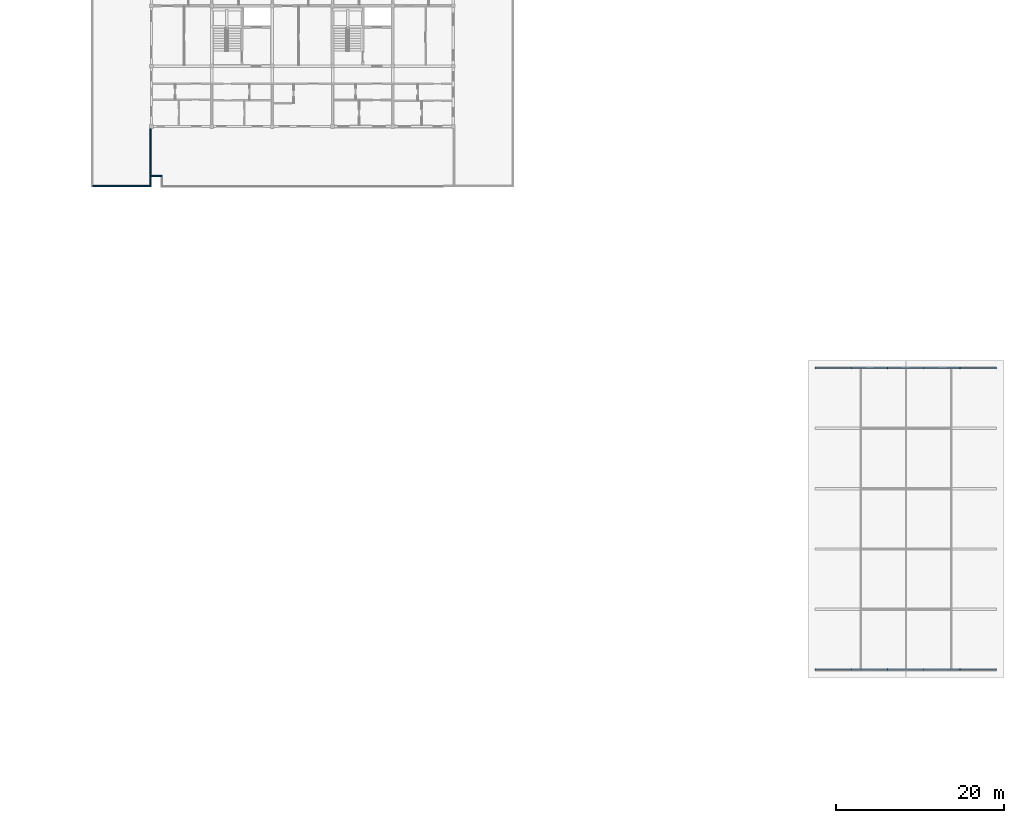
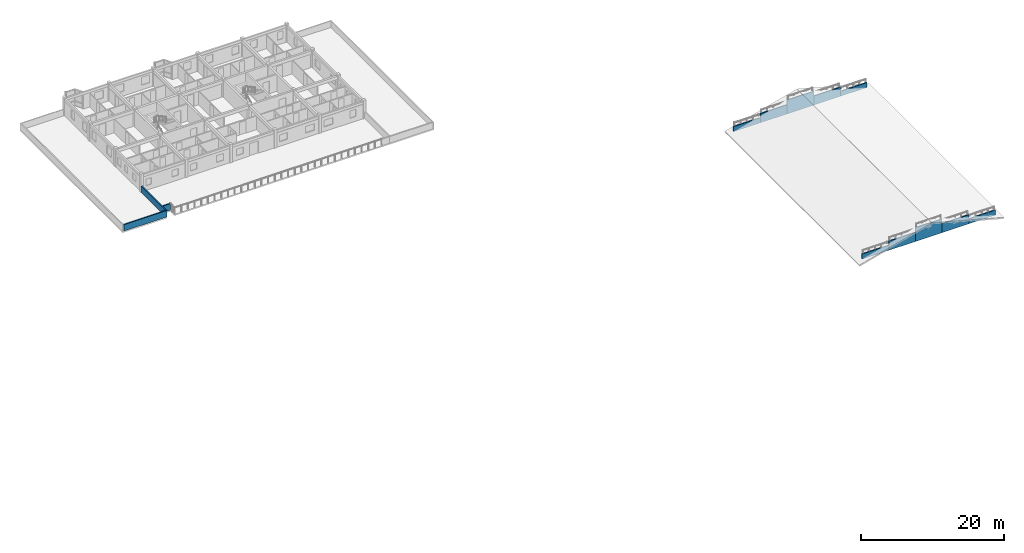
# One storey, part 31 of 40: 13 walls.
"""IFC4 building model written with IfcOpenShell, lengths in metres."""

from ifc_helpers import new_model, si_unit, direction, frame, frame_2d, origin, place, context, subcontext, project, spatial, rectangle, extrude, material, layer, layer_set, type_object, element, save


model = new_model("IFC4")

# Units and contexts
model_context = context("Model", 3, precision=1e-05, world=origin(), true_north=direction((0.0, 1.0)))
body_context = subcontext(model_context, "Body", "Model", "MODEL_VIEW")
ifc_project = project(units=[si_unit("LENGTHUNIT", "METRE"), si_unit("AREAUNIT", "SQUARE_METRE"), si_unit("VOLUMEUNIT", "CUBIC_METRE"), si_unit("PLANEANGLEUNIT", "RADIAN"), si_unit("MASSUNIT", "GRAM", prefix="KILO"), si_unit("THERMODYNAMICTEMPERATUREUNIT", "KELVIN"), si_unit("POWERUNIT", "WATT")], contexts=[model_context])

# Site, building, storey
site_placement = place(None, origin())
site = spatial("IfcSite", under=ifc_project, at=site_placement, CompositionType="ELEMENT")
building_placement = place(site_placement, origin())
building = spatial("IfcBuilding", under=site, at=building_placement, Name="Tavuni Mirador Residences", CompositionType="ELEMENT")
storey_placement = place(building_placement, frame((0.0, 0.0, 36.0)))
storey = spatial("IfcBuildingStorey", under=building, at=storey_placement, Name="L11", CompositionType="ELEMENT", Elevation=36.0)

# Walls
ifc_material = material(Name="Precast concrete C40/50", Category="concrete")
ifc_layer = layer(ifc_material, 0.175048828125, Name="Precast concrete C40/50", Category="concrete")
ifc_layer_set = layer_set([ifc_layer], Name="Precast concrete C40/50")
wall_type = type_object("IfcWallType", Name="WT-PAR175", PredefinedType="PARAPET", material=ifc_layer_set)
wall_1_placement = place(storey_placement, frame((97.199951171875, 86.39990234375, 0.0), z_axis=(0.0, 0.0, 1.0), x_axis=(1.0, 0.0, 0.0)))
element("IfcWall", 1, at=wall_1_placement, inside=storey, type_object=wall_type, Name="PAR-BLKD-S-1", PredefinedType="PARAPET", context=body_context, shape_type="SweptSolid", body=[
    extrude(rectangle(XDim=4.320068359375, YDim=0.175048828125, at=frame_2d((2.16015625, 0.0))), origin(), (0.0, 0.0, 1.0), 0.85009765625),
])
wall_2_placement = place(storey_placement, frame((101.52001953125, 86.39990234375, 0.0), z_axis=(0.0, 0.0, 1.0), x_axis=(1.0, 0.0, 0.0)))
element("IfcWall", 2, at=wall_2_placement, inside=storey, type_object=wall_type, Name="PAR-BLKD-S-2", PredefinedType="PARAPET", context=body_context, shape_type="SweptSolid", body=[
    extrude(rectangle(XDim=4.320068359375, YDim=0.175048828125, at=frame_2d((2.16015625, 0.0))), origin(), (0.0, 0.0, 1.0), 1.550048828125),
])
wall_3_placement = place(storey_placement, frame((105.840087890625, 86.39990234375, 0.0), z_axis=(0.0, 0.0, 1.0), x_axis=(1.0, 0.0, 0.0)))
element("IfcWall", 3, at=wall_3_placement, inside=storey, type_object=wall_type, Name="PAR-BLKD-S-3", PredefinedType="PARAPET", context=body_context, shape_type="SweptSolid", body=[
    extrude(rectangle(XDim=4.31982421875, YDim=0.175048828125, at=frame_2d((2.159912109375, 0.0))), origin(), (0.0, 0.0, 1.0), 2.35009765625),
])
wall_4_placement = place(storey_placement, frame((110.159912109375, 86.39990234375, 0.0), z_axis=(0.0, 0.0, 1.0), x_axis=(1.0, 0.0, 0.0)))
element("IfcWall", 4, at=wall_4_placement, inside=storey, type_object=wall_type, Name="PAR-BLKD-S-4", PredefinedType="PARAPET", context=body_context, shape_type="SweptSolid", body=[
    extrude(rectangle(XDim=4.320068359375, YDim=0.175048828125, at=frame_2d((2.16015625, 0.0))), origin(), (0.0, 0.0, 1.0), 1.550048828125),
])
for number, where, z_axis, x_axis, name in (
    (5, (114.47998046875, 86.39990234375, 0.0), (0.0, 0.0, 1.0), (1.0, 0.0, 0.0), "PAR-BLKD-S-5"),
    (6, (97.199951171875, 122.39990234375, 0.0), (0.0, 0.0, 1.0), (1.0, 0.0, 0.0), "PAR-BLKD-N-1"),
):
    element("IfcWall", number, at=place(storey_placement, frame(where, z_axis=z_axis, x_axis=x_axis)), inside=storey, type_object=wall_type, Name=name, PredefinedType="PARAPET", context=body_context, shape_type="SweptSolid", body=[
        extrude(rectangle(XDim=4.320068359375, YDim=0.175048828125, at=frame_2d((2.16015625, 0.0))), origin(), (0.0, 0.0, 1.0), 0.85009765625),
    ])
wall_5_placement = place(storey_placement, frame((101.52001953125, 122.39990234375, 0.0), z_axis=(0.0, 0.0, 1.0), x_axis=(1.0, 0.0, 0.0)))
element("IfcWall", 7, at=wall_5_placement, inside=storey, type_object=wall_type, Name="PAR-BLKD-N-2", PredefinedType="PARAPET", context=body_context, shape_type="SweptSolid", body=[
    extrude(rectangle(XDim=4.320068359375, YDim=0.175048828125, at=frame_2d((2.16015625, 0.0))), origin(), (0.0, 0.0, 1.0), 1.550048828125),
])
wall_6_placement = place(storey_placement, frame((105.840087890625, 122.39990234375, 0.0), z_axis=(0.0, 0.0, 1.0), x_axis=(1.0, 0.0, 0.0)))
element("IfcWall", 8, at=wall_6_placement, inside=storey, type_object=wall_type, Name="PAR-BLKD-N-3", PredefinedType="PARAPET", context=body_context, shape_type="SweptSolid", body=[
    extrude(rectangle(XDim=4.31982421875, YDim=0.175048828125, at=frame_2d((2.159912109375, 0.0))), origin(), (0.0, 0.0, 1.0), 2.35009765625),
])
wall_7_placement = place(storey_placement, frame((110.159912109375, 122.39990234375, 0.0), z_axis=(0.0, 0.0, 1.0), x_axis=(1.0, 0.0, 0.0)))
element("IfcWall", 9, at=wall_7_placement, inside=storey, type_object=wall_type, Name="PAR-BLKD-N-4", PredefinedType="PARAPET", context=body_context, shape_type="SweptSolid", body=[
    extrude(rectangle(XDim=4.320068359375, YDim=0.175048828125, at=frame_2d((2.16015625, 0.0))), origin(), (0.0, 0.0, 1.0), 1.550048828125),
])
wall_8_placement = place(storey_placement, frame((114.47998046875, 122.39990234375, 0.0), z_axis=(0.0, 0.0, 1.0), x_axis=(1.0, 0.0, 0.0)))
element("IfcWall", 10, at=wall_8_placement, inside=storey, type_object=wall_type, Name="PAR-BLKD-N-5", PredefinedType="PARAPET", context=body_context, shape_type="SweptSolid", body=[
    extrude(rectangle(XDim=4.320068359375, YDim=0.175048828125, at=frame_2d((2.16015625, 0.0))), origin(), (0.0, 0.0, 1.0), 0.85009765625),
])
wall_9_placement = place(storey_placement, frame((10.97509765625, 144.08740234375, 0.0), z_axis=(0.0, 0.0, 1.0), x_axis=(1.0, 0.0, 0.0)))
element("IfcWall", 11, at=wall_9_placement, inside=storey, type_object=wall_type, Name="Setback roof parapet ROOF-C-L11-W S", PredefinedType="PARAPET", context=body_context, shape_type="SweptSolid", body=[
    extrude(rectangle(XDim=7.02490234375, YDim=0.175048828125, at=frame_2d((3.512451171875, 0.0))), origin(), (0.0, 0.0, 1.0), 1.10009765625),
])
wall_10_placement = place(storey_placement, frame((17.91259765625, 144.175048828125, 0.0), z_axis=(0.0, 0.0, 1.0), x_axis=(0.0, 1.0, 0.0)))
element("IfcWall", 12, at=wall_10_placement, inside=storey, type_object=wall_type, Name="Setback roof parapet ROOF-C-L11-W E", PredefinedType="PARAPET", context=body_context, shape_type="SweptSolid", body=[
    extrude(rectangle(XDim=6.7978515625, YDim=0.175048828125, at=frame_2d((3.39892578125, 0.0))), origin(), (0.0, 0.0, 1.0), 1.10009765625),
])
wall_11_placement = place(storey_placement, frame((18.0, 145.28759765625, 0.0), z_axis=(0.0, 0.0, 1.0), x_axis=(1.0, 0.0, 0.0)))
element("IfcWall", 13, at=wall_11_placement, inside=storey, type_object=wall_type, Name="Terrace parapet TER-C-L11 RW", PredefinedType="PARAPET", context=body_context, shape_type="SweptSolid", body=[
    extrude(rectangle(XDim=1.199951171875, YDim=0.175048828125, at=frame_2d((0.60009765625, 0.0))), origin(), (0.0, 0.0, 1.0), 1.10009765625),
])

save(model, "model.ifc")
